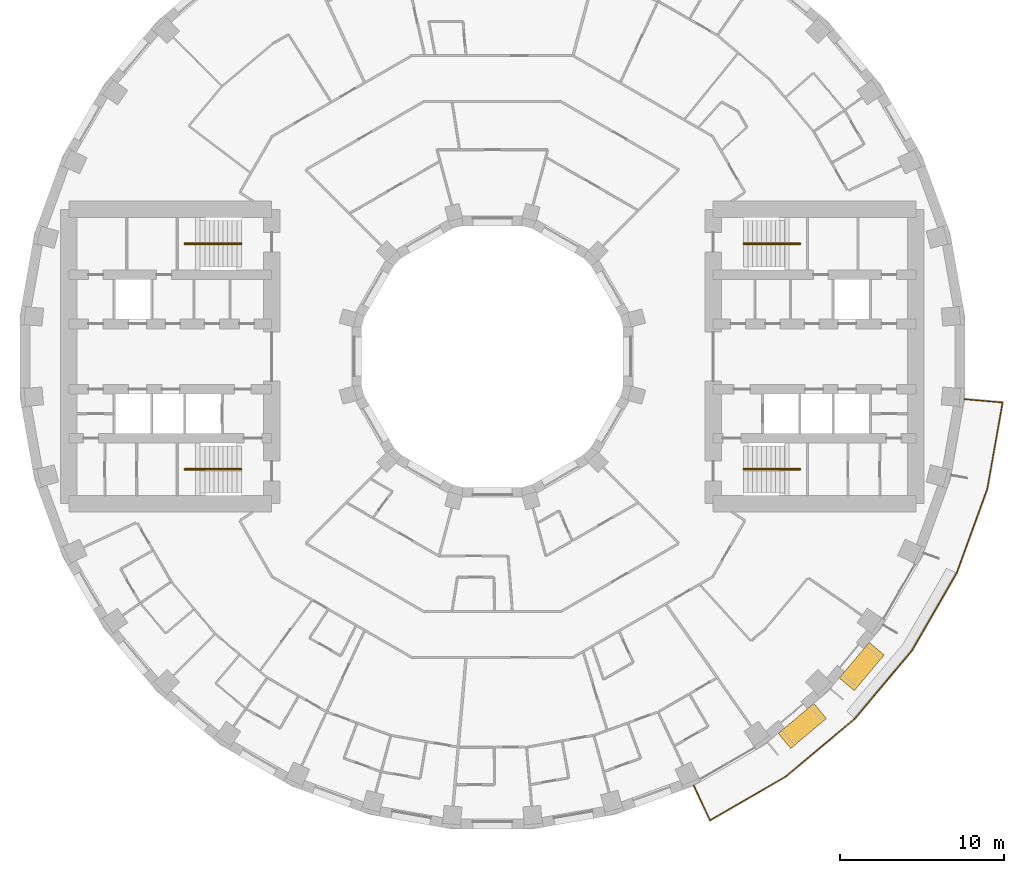
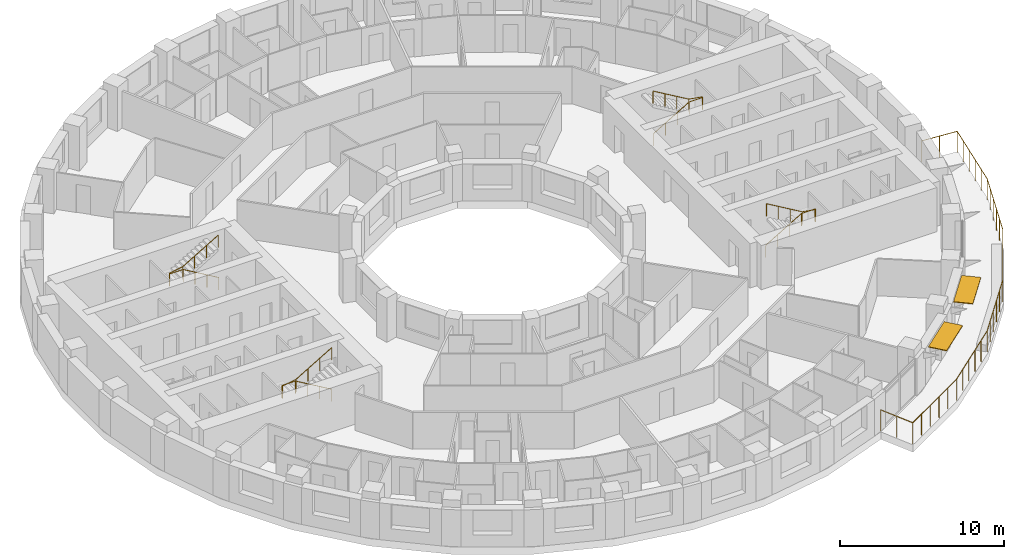
# One storey, part 15 of 15: 5 railings, 2 shading devices.
"""IFC4 building model written with IfcOpenShell, lengths in metres."""

import ifcopenshell
import ifcopenshell.guid

model = None  # the IFC model being written
_history = None  # IfcOwnerHistory: only IFC2X3 demands one
_inside = {}  # id of a spatial element -> (the spatial element, [elements in it])
_under = {}  # id of a project, library or spatial element -> (it, [spatial elements below it])
_declared = {}  # id of a project -> (the project, [libraries it declares])
_typed = {}  # id of a type object -> (the type object, [elements of that type])
_made_of = {}  # id of a material, layer set ... -> (it, [elements and type objects made of it])


def new_model(schema):
    """Start an empty IFC model of exactly this schema.

    Asked for "IFC4X3", IfcOpenShell would pick the latest addendum, in which some entities
    have other attributes; the version numbers below select the first issue.
    IFC2X3 requires an IfcOwnerHistory on every rooted entity: one is made here for all.
    """
    global model, _history
    if schema == "IFC4X3":
        model = ifcopenshell.file(schema_version=(4, 3, 0, 0))
    else:
        model = ifcopenshell.file(schema=schema)
    _inside.clear()
    _under.clear()
    _declared.clear()
    _typed.clear()
    _made_of.clear()
    _history = None
    if model.schema == "IFC2X3":
        org = make("IfcOrganization", Name="unknown")
        user = make(
            "IfcPersonAndOrganization",
            ThePerson=make("IfcPerson", FamilyName="unknown"),
            TheOrganization=org,
        )
        app = make(
            "IfcApplication",
            ApplicationDeveloper=org,
            Version="unknown",
            ApplicationFullName="unknown",
            ApplicationIdentifier="unknown",
        )
        _history = make(
            "IfcOwnerHistory",
            OwningUser=user,
            OwningApplication=app,
            ChangeAction="ADDED",
            CreationDate=0,
        )
    return model


def make(cls, **values):
    """One entity of the class cls with the attributes given. An attribute that is None is left unset."""
    return model.create_entity(
        cls, **{name: value for name, value in values.items() if value is not None}
    )


def rooted(cls, **values):
    """An entity with a GlobalId (a new one), such as an element, a storey or a relation."""
    return make(cls, GlobalId=ifcopenshell.guid.new(), OwnerHistory=_history, **values)


def si_unit(unit_type, name, prefix=None):
    """IfcSIUnit, for example si_unit("LENGTHUNIT", "METRE", prefix="MILLI")."""
    return make("IfcSIUnit", UnitType=unit_type, Prefix=prefix, Name=name)


def assignment(units):
    """IfcUnitAssignment: the units of a project."""
    return None if units is None else make("IfcUnitAssignment", Units=units)


def point(xyz):
    """IfcCartesianPoint."""
    return None if xyz is None else make("IfcCartesianPoint", Coordinates=xyz)


def direction(xyz):
    """IfcDirection."""
    return None if xyz is None else make("IfcDirection", DirectionRatios=xyz)


def frame(location, z_axis=None, x_axis=None):
    """IfcAxis2Placement3D, a coordinate frame: its origin and axes. An axis left out is left unset."""
    return make(
        "IfcAxis2Placement3D",
        Location=point(location),
        Axis=direction(z_axis),
        RefDirection=direction(x_axis),
    )


def frame_2d(location, x_axis=None):
    """IfcAxis2Placement2D, a coordinate frame in the plane: its origin and x axis."""
    return make(
        "IfcAxis2Placement2D", Location=point(location), RefDirection=direction(x_axis)
    )


def origin():
    """The frame at (0, 0, 0) with its axes left unset."""
    return frame((0.0, 0.0, 0.0))


def origin_2d():
    """The frame at (0, 0) in the plane with its x axis left unset."""
    return frame_2d((0.0, 0.0))


def place(relative_to, where):
    """IfcLocalPlacement: puts the frame where relative to a parent placement (None: the world)."""
    return make(
        "IfcLocalPlacement", PlacementRelTo=relative_to, RelativePlacement=where
    )


def context(
    kind, dimensions, precision=None, world=None, true_north=None, identifier=None
):
    """IfcGeometricRepresentationContext, for example the 3D "Model" context."""
    return make(
        "IfcGeometricRepresentationContext",
        ContextIdentifier=identifier,
        ContextType=kind,
        CoordinateSpaceDimension=dimensions,
        Precision=precision,
        WorldCoordinateSystem=world,
        TrueNorth=true_north,
    )


def subcontext(parent, identifier, kind, view, scale=None):
    """IfcGeometricRepresentationSubContext, for example "Body" below "Model"."""
    return make(
        "IfcGeometricRepresentationSubContext",
        ContextIdentifier=identifier,
        ContextType=kind,
        ParentContext=parent,
        TargetScale=scale,
        TargetView=view,
    )


def project(units=None, contexts=None):
    """IfcProject with its units and contexts."""
    return rooted(
        "IfcProject",
        Name="project",
        RepresentationContexts=contexts,
        UnitsInContext=assignment(units),
    )


def spatial(cls, under=None, at=None, **own):
    """A site, building, storey or space (cls), placed at a placement, below another one or the project."""
    s = rooted(cls, ObjectPlacement=at, **own)
    if under is not None:
        _under.setdefault(under.id(), (under, []))[1].append(s)
    return s


def profile(cls, at=None, kind="AREA", **sizes):
    """A parametric profile (cls). Its sizes go by their IFC names, for example OverallWidth=200.0."""
    return make(cls, ProfileType=kind, Position=at, **sizes)


def rectangle(**sizes):
    """IfcRectangleProfileDef."""
    return profile("IfcRectangleProfileDef", **sizes)


def circle(**sizes):
    """IfcCircleProfileDef."""
    return profile("IfcCircleProfileDef", **sizes)


def extrude(swept, where, along, depth):
    """IfcExtrudedAreaSolid: the profile swept, set in the frame where, extruded along a direction by depth."""
    return make(
        "IfcExtrudedAreaSolid",
        SweptArea=swept,
        Position=where,
        ExtrudedDirection=direction(along),
        Depth=depth,
    )


def shape(context_of_items, identifier, shape_type, items):
    """IfcShapeRepresentation: the items that make up one representation, for example the "Body"."""
    return make(
        "IfcShapeRepresentation",
        ContextOfItems=context_of_items,
        RepresentationIdentifier=identifier,
        RepresentationType=shape_type,
        Items=items,
    )


def material(Name=None, Category=None):
    """IfcMaterial."""
    return make("IfcMaterial", Name=Name, Category=Category)


def layer(
    of_material, thickness, ventilated=None, Name=None, Category=None, Priority=None
):
    """IfcMaterialLayer: one layer of a wall or slab, of a material (None: an air gap)."""
    return make(
        "IfcMaterialLayer",
        Material=of_material,
        LayerThickness=thickness,
        IsVentilated=ventilated,
        Name=Name,
        Category=Category,
        Priority=Priority,
    )


def layer_set(layers, Name=None):
    """IfcMaterialLayerSet."""
    return make("IfcMaterialLayerSet", MaterialLayers=layers, LayerSetName=Name)


def made_of(thing, what):
    """Note that an element or type object is made of a material, layer set ...; save() writes the relation."""
    if what is not None:
        _made_of.setdefault(what.id(), (what, []))[1].append(thing)
    return thing


def type_object(cls, material=None, **own):
    """A type object (cls), such as IfcWallType, which elements share."""
    return made_of(rooted(cls, **own), material)


def element(
    cls,
    number,
    at=None,
    inside=None,
    cuts=None,
    type_object=None,
    material=None,
    context=None,
    identifier="Body",
    shape_type=None,
    held_by="IfcProductDefinitionShape",
    body=None,
    shapes=None,
    **own,
):
    """One element of the class cls, such as IfcWall. Its Tag is "e" and its number.

    at: its placement. inside: the storey or other place that contains it. cuts: it is an
    opening in that element (IfcRelVoidsElement). A single representation is given by context,
    identifier, shape_type and body (its items); several are given by shapes. held_by: the class
    of the entity that holds the representations. save() writes the other relations.
    """
    e = rooted(cls, Tag="e%d" % number, ObjectPlacement=at, **own)
    if body is not None:
        shapes = [shape(context, identifier, shape_type, body)]
    if shapes is not None:
        e.Representation = make(held_by, Representations=shapes)
    if inside is not None:
        _inside.setdefault(inside.id(), (inside, []))[1].append(e)
    if cuts is not None:
        rooted(
            "IfcRelVoidsElement", RelatingBuildingElement=cuts, RelatedOpeningElement=e
        )
    if type_object is not None:
        _typed.setdefault(type_object.id(), (type_object, []))[1].append(e)
    return made_of(e, material)


def aggregate(whole, parts):
    """IfcRelAggregates: a whole, such as a stair, and the parts it consists of."""
    return rooted("IfcRelAggregates", RelatingObject=whole, RelatedObjects=parts)


def save(model, path):
    """Write the relations noted so far, then the file.

    IfcRelAggregates (storeys below a building ...), IfcRelContainedInSpatialStructure (elements
    in a storey), IfcRelDefinesByType, IfcRelAssociatesMaterial and IfcRelDeclares: one each for
    every whole, place, type object, material and project.
    """
    for whole, parts in _under.values():
        aggregate(whole, parts)
    for where, things in _inside.values():
        rooted(
            "IfcRelContainedInSpatialStructure",
            RelatedElements=things,
            RelatingStructure=where,
        )
    for kind, things in _typed.values():
        rooted("IfcRelDefinesByType", RelatedObjects=things, RelatingType=kind)
    for what, things in _made_of.values():
        rooted("IfcRelAssociatesMaterial", RelatedObjects=things, RelatingMaterial=what)
    for by, libraries in _declared.values():
        rooted("IfcRelDeclares", RelatingContext=by, RelatedDefinitions=libraries)
    model.write(path)


model = new_model("IFC4")

# Units and contexts
model_context = context("Model", 3, precision=1e-05, world=origin(), true_north=direction((0.0, 1.0)))
body_context = subcontext(model_context, "Body", "Model", "MODEL_VIEW")
ifc_project = project(units=[si_unit("LENGTHUNIT", "METRE"), si_unit("AREAUNIT", "SQUARE_METRE"), si_unit("VOLUMEUNIT", "CUBIC_METRE"), si_unit("PLANEANGLEUNIT", "RADIAN"), si_unit("MASSUNIT", "GRAM", prefix="KILO")], contexts=[model_context])

# Site, building, storey
site_placement = place(None, origin())
site = spatial("IfcSite", under=ifc_project, at=site_placement, CompositionType="ELEMENT")
building_placement = place(site_placement, origin())
building = spatial("IfcBuilding", under=site, at=building_placement, Name="Saqina Gate Tower", CompositionType="ELEMENT")
storey_placement = place(building_placement, frame((0.0, 0.0, 39.5)))
storey = spatial("IfcBuildingStorey", under=building, at=storey_placement, Name="L10", CompositionType="ELEMENT", Elevation=39.5)

# Shading devices
ifc_material_1 = material(Name="Aluminium and fabric awning", Category="aluminium")
ifc_layer = layer(ifc_material_1, 0.050048828125)
ifc_layer_set = layer_set([ifc_layer], Name="AW-TERRACE")
shading_device_type = type_object("IfcShadingDeviceType", Name="AW-TERRACE", PredefinedType="AWNING", material=ifc_layer_set)
for number, where, z_axis, x_axis, name in (
    (1, (18.95556640625, -22.59033203125, 2.52490234375), (0.0, 0.0, 1.0), (0.766044443119, 0.642787609687, 0.0), "Terrace awning L10 facet 31"),
    (2, (22.59033203125, -18.95556640625, 2.52490234375), (0.0, 0.0, 1.0), (0.642787609687, 0.766044443119, 0.0), "Terrace awning L10 facet 32"),
):
    element("IfcShadingDevice", number, at=place(storey_placement, frame(where, z_axis=z_axis, x_axis=x_axis)), inside=storey, type_object=shading_device_type, Name=name, PredefinedType="AWNING", context=body_context, shape_type="SweptSolid", body=[
        extrude(rectangle(XDim=2.845703125, YDim=1.199951171875, at=origin_2d()), origin(), (0.0, 0.0, 1.0), 0.050048828125),
    ])

# Railings
ifc_material_2 = material(Name="Stainless steel", Category="steel")
railing_type_1 = type_object("IfcRailingType", Name="RL-TERRACE", PredefinedType="GUARDRAIL", material=ifc_material_2)
railing_1_placement = place(storey_placement, frame((12.302978515625, -26.194580078125, 0.0)))
element("IfcRailing", 3, at=railing_1_placement, inside=storey, type_object=railing_type_1, Name="Terrace guard L10", PredefinedType="GUARDRAIL", context=body_context, shape_type="SweptSolid", body=[
    extrude(circle(Radius=0.02392578125, at=origin_2d()), frame((0.0, 0.0, 1.576171875), z_axis=(0.422644901044, -0.906295364449, 0.0), x_axis=(0.906295364449, 0.422644901044, 0.0)), (0.0, 0.0, 1.0), 2.38916015625),
    extrude(circle(Radius=0.02392578125, at=origin_2d()), frame((1.009765625, -2.165283203125, 1.576171875), z_axis=(0.8653641556, 0.50114357045, 0.0), x_axis=(-0.50114357045, 0.8653641556, 0.0)), (0.0, 0.0, 1.0), 5.38134765625),
    extrude(circle(Radius=0.02392578125, at=origin_2d()), frame((5.66650390625, 0.531494140625, 1.576171875), z_axis=(0.766043830705, 0.642788339532, 0.0), x_axis=(-0.642788339532, 0.766043830705, 0.0)), (0.0, 0.0, 1.0), 5.4609375),
    extrude(circle(Radius=0.02392578125, at=origin_2d()), frame((9.849853515625, 4.041748046875, 1.576171875), z_axis=(0.642788339532, 0.766043830705, 0.0), x_axis=(-0.766043830705, 0.642788339532, 0.0)), (0.0, 0.0, 1.0), 5.4609375),
    extrude(circle(Radius=0.02392578125, at=origin_2d()), frame((13.360107421875, 8.22509765625, 1.576171875), z_axis=(0.499985602051, 0.866033716285, 0.0), x_axis=(-0.866033716285, 0.499985602051, 0.0)), (0.0, 0.0, 1.0), 5.461181640625),
    extrude(circle(Radius=0.02392578125, at=origin_2d()), frame((16.090576171875, 12.95458984375, 1.576171875), z_axis=(0.342048157644, 0.939682423935, 0.0), x_axis=(-0.939682423935, 0.342048157644, 0.0)), (0.0, 0.0, 1.0), 5.4609375),
    extrude(circle(Radius=0.02392578125, at=origin_2d()), frame((17.95849609375, 18.086181640625, 1.576171875), z_axis=(0.174903346333, 0.98458560798, 0.0), x_axis=(-0.98458560798, 0.174903346333, 0.0)), (0.0, 0.0, 1.0), 5.381103515625),
    extrude(circle(Radius=0.02392578125, at=origin_2d()), frame((18.899658203125, 23.38427734375, 1.576171875), z_axis=(-0.996192497087, 0.087180896688, 0.0), x_axis=(-0.087180896688, -0.996192497087, 0.0)), (0.0, 0.0, 1.0), 2.388671875),
    extrude(circle(Radius=0.02099609375, at=origin_2d()), origin(), (0.0, 0.0, 1.0), 1.552001953125),
    extrude(circle(Radius=0.02099609375, at=origin_2d()), frame((0.5048828125, -1.08251953125, 0.0)), (0.0, 0.0, 1.0), 1.552001953125),
    extrude(circle(Radius=0.02099609375, at=origin_2d()), frame((1.009765625, -2.165283203125, 0.0)), (0.0, 0.0, 1.0), 1.552001953125),
    extrude(circle(Radius=0.02099609375, at=origin_2d()), frame((1.941162109375, -1.6259765625, 0.0)), (0.0, 0.0, 1.0), 1.552001953125),
    extrude(circle(Radius=0.02099609375, at=origin_2d()), frame((2.87255859375, -1.086669921875, 0.0)), (0.0, 0.0, 1.0), 1.552001953125),
    extrude(circle(Radius=0.02099609375, at=origin_2d()), frame((3.8037109375, -0.547119140625, 0.0)), (0.0, 0.0, 1.0), 1.552001953125),
    extrude(circle(Radius=0.02099609375, at=origin_2d()), frame((4.735107421875, -0.0078125, 0.0)), (0.0, 0.0, 1.0), 1.552001953125),
    extrude(circle(Radius=0.02099609375, at=origin_2d()), frame((5.66650390625, 0.531494140625, 0.0)), (0.0, 0.0, 1.0), 1.552001953125),
    extrude(circle(Radius=0.02099609375, at=origin_2d()), frame((6.503173828125, 1.233642578125, 0.0)), (0.0, 0.0, 1.0), 1.552001953125),
    extrude(circle(Radius=0.02099609375, at=origin_2d()), frame((7.33984375, 1.935546875, 0.0)), (0.0, 0.0, 1.0), 1.552001953125),
    extrude(circle(Radius=0.02099609375, at=origin_2d()), frame((8.176513671875, 2.6376953125, 0.0)), (0.0, 0.0, 1.0), 1.552001953125),
    extrude(circle(Radius=0.02099609375, at=origin_2d()), frame((9.01318359375, 3.339599609375, 0.0)), (0.0, 0.0, 1.0), 1.552001953125),
    extrude(circle(Radius=0.02099609375, at=origin_2d()), frame((9.849853515625, 4.041748046875, 0.0)), (0.0, 0.0, 1.0), 1.552001953125),
    extrude(circle(Radius=0.02099609375, at=origin_2d()), frame((10.552001953125, 4.87841796875, 0.0)), (0.0, 0.0, 1.0), 1.552001953125),
    extrude(circle(Radius=0.02099609375, at=origin_2d()), frame((11.25390625, 5.715087890625, 0.0)), (0.0, 0.0, 1.0), 1.552001953125),
    extrude(circle(Radius=0.02099609375, at=origin_2d()), frame((11.9560546875, 6.5517578125, 0.0)), (0.0, 0.0, 1.0), 1.552001953125),
    extrude(circle(Radius=0.02099609375, at=origin_2d()), frame((12.657958984375, 7.388427734375, 0.0)), (0.0, 0.0, 1.0), 1.552001953125),
    extrude(circle(Radius=0.02099609375, at=origin_2d()), frame((13.360107421875, 8.22509765625, 0.0)), (0.0, 0.0, 1.0), 1.552001953125),
    extrude(circle(Radius=0.02099609375, at=origin_2d()), frame((13.90625, 9.1708984375, 0.0)), (0.0, 0.0, 1.0), 1.552001953125),
    extrude(circle(Radius=0.02099609375, at=origin_2d()), frame((14.452392578125, 10.116943359375, 0.0)), (0.0, 0.0, 1.0), 1.552001953125),
    extrude(circle(Radius=0.02099609375, at=origin_2d()), frame((14.998291015625, 11.062744140625, 0.0)), (0.0, 0.0, 1.0), 1.552001953125),
    extrude(circle(Radius=0.02099609375, at=origin_2d()), frame((15.54443359375, 12.0087890625, 0.0)), (0.0, 0.0, 1.0), 1.552001953125),
    extrude(circle(Radius=0.02099609375, at=origin_2d()), frame((16.090576171875, 12.95458984375, 0.0)), (0.0, 0.0, 1.0), 1.552001953125),
    extrude(circle(Radius=0.02099609375, at=origin_2d()), frame((16.464111328125, 13.98095703125, 0.0)), (0.0, 0.0, 1.0), 1.552001953125),
    extrude(circle(Radius=0.02099609375, at=origin_2d()), frame((16.837646484375, 15.00732421875, 0.0)), (0.0, 0.0, 1.0), 1.552001953125),
    extrude(circle(Radius=0.02099609375, at=origin_2d()), frame((17.21142578125, 16.033447265625, 0.0)), (0.0, 0.0, 1.0), 1.552001953125),
    extrude(circle(Radius=0.02099609375, at=origin_2d()), frame((17.5849609375, 17.059814453125, 0.0)), (0.0, 0.0, 1.0), 1.552001953125),
    extrude(circle(Radius=0.02099609375, at=origin_2d()), frame((17.95849609375, 18.086181640625, 0.0)), (0.0, 0.0, 1.0), 1.552001953125),
    extrude(circle(Radius=0.02099609375, at=origin_2d()), frame((18.146728515625, 19.145751953125, 0.0)), (0.0, 0.0, 1.0), 1.552001953125),
    extrude(circle(Radius=0.02099609375, at=origin_2d()), frame((18.3349609375, 20.205322265625, 0.0)), (0.0, 0.0, 1.0), 1.552001953125),
    extrude(circle(Radius=0.02099609375, at=origin_2d()), frame((18.523193359375, 21.26513671875, 0.0)), (0.0, 0.0, 1.0), 1.552001953125),
    extrude(circle(Radius=0.02099609375, at=origin_2d()), frame((18.71142578125, 22.32470703125, 0.0)), (0.0, 0.0, 1.0), 1.552001953125),
    extrude(circle(Radius=0.02099609375, at=origin_2d()), frame((18.899658203125, 23.38427734375, 0.0)), (0.0, 0.0, 1.0), 1.552001953125),
    extrude(circle(Radius=0.02099609375, at=origin_2d()), frame((17.7099609375, 23.48828125, 0.0)), (0.0, 0.0, 1.0), 1.552001953125),
    extrude(circle(Radius=0.02099609375, at=origin_2d()), frame((16.52001953125, 23.592529296875, 0.0)), (0.0, 0.0, 1.0), 1.552001953125),
])
ifc_material_3 = material(Name="Stainless steel", Category="steel")
railing_type_2 = type_object("IfcRailingType", Name="STAIR HANDRAIL", PredefinedType="HANDRAIL", material=ifc_material_3)
railing_2_placement = place(storey_placement, frame((15.35009765625, 6.86669921875, 0.1650390625)))
element("IfcRailing", 4, at=railing_2_placement, inside=storey, type_object=railing_type_2, Name="EXIT STAIR 1 HANDRAIL", PredefinedType="HANDRAIL", context=body_context, shape_type="SweptSolid", body=[
    extrude(circle(Radius=0.02392578125, at=origin_2d()), frame((0.0, 0.0, 0.92578125), z_axis=(0.861560626758, 0.0, 0.507654692109), x_axis=(0.0, 1.0, 0.0)), (0.0, 0.0, 1.0), 2.925048828125),
    extrude(circle(Radius=0.02392578125, at=origin_2d()), frame((2.52001953125, 0.0, 2.41064453125), z_axis=(1.0, 0.0, 0.0), x_axis=(0.0, 1.0, 0.0)), (0.0, 0.0, 1.0), 0.949951171875),
    extrude(circle(Radius=0.02392578125, at=origin_2d()), frame((3.469970703125, 0.0, 2.41064453125), z_axis=(0.0, 1.0, 0.0), x_axis=(-1.0, 0.0, 0.0)), (0.0, 0.0, 1.0), 0.066650390625),
    extrude(circle(Radius=0.02392578125, at=origin_2d()), frame((3.469970703125, 0.066650390625, 2.41064453125), z_axis=(-0.985241474778, 0.0, 0.171170197109), x_axis=(0.0, -1.0, 0.0)), (0.0, 0.0, 1.0), 0.964111328125),
    extrude(circle(Radius=0.02392578125, at=origin_2d()), frame((2.52001953125, 0.066650390625, 2.57568359375), z_axis=(-0.86152411907, 0.0, 0.507716645641), x_axis=(0.0, -1.0, 0.0)), (0.0, 0.0, 1.0), 2.925048828125),
    extrude(circle(Radius=0.02099609375, at=origin_2d()), origin(), (0.0, 0.0, 1.0), 0.90185546875),
    extrude(circle(Radius=0.02099609375, at=origin_2d()), frame((0.840087890625, 0.0, 0.494873046875)), (0.0, 0.0, 1.0), 0.90185546875),
    extrude(circle(Radius=0.02099609375, at=origin_2d()), frame((1.679931640625, 0.0, 0.989990234375)), (0.0, 0.0, 1.0), 0.90185546875),
    extrude(circle(Radius=0.02099609375, at=origin_2d()), frame((2.52001953125, 0.0, 1.48486328125)), (0.0, 0.0, 1.0), 0.90185546875),
    extrude(circle(Radius=0.02099609375, at=origin_2d()), frame((3.469970703125, 0.0, 1.48486328125)), (0.0, 0.0, 1.0), 0.90185546875),
    extrude(circle(Radius=0.02099609375, at=origin_2d()), frame((3.469970703125, 0.066650390625, 1.48486328125)), (0.0, 0.0, 1.0), 0.90185546875),
    extrude(circle(Radius=0.02099609375, at=origin_2d()), frame((2.52001953125, 0.066650390625, 1.64990234375)), (0.0, 0.0, 1.0), 0.90185546875),
    extrude(circle(Radius=0.02099609375, at=origin_2d()), frame((1.679931640625, 0.066650390625, 2.14501953125)), (0.0, 0.0, 1.0), 0.90185546875),
    extrude(circle(Radius=0.02099609375, at=origin_2d()), frame((0.840087890625, 0.066650390625, 2.639892578125)), (0.0, 0.0, 1.0), 0.90185546875),
    extrude(circle(Radius=0.02099609375, at=origin_2d()), frame((0.0, 0.066650390625, 3.135009765625)), (0.0, 0.0, 1.0), 0.90185546875),
])
railing_3_placement = place(storey_placement, frame((15.35009765625, -6.86669921875, 0.1650390625)))
element("IfcRailing", 5, at=railing_3_placement, inside=storey, type_object=railing_type_2, Name="EXIT STAIR 2 HANDRAIL", PredefinedType="HANDRAIL", context=body_context, shape_type="SweptSolid", body=[
    extrude(circle(Radius=0.02392578125, at=origin_2d()), frame((0.0, 0.0, 0.92578125), z_axis=(0.861560626758, 0.0, 0.507654692109), x_axis=(0.0, 1.0, 0.0)), (0.0, 0.0, 1.0), 2.925048828125),
    extrude(circle(Radius=0.02392578125, at=origin_2d()), frame((2.52001953125, 0.0, 2.41064453125), z_axis=(1.0, 0.0, 0.0), x_axis=(0.0, 1.0, 0.0)), (0.0, 0.0, 1.0), 0.949951171875),
    extrude(circle(Radius=0.02392578125, at=origin_2d()), frame((3.469970703125, 0.0, 2.41064453125), z_axis=(0.0, -1.0, 0.0), x_axis=(1.0, 0.0, 0.0)), (0.0, 0.0, 1.0), 0.066650390625),
    extrude(circle(Radius=0.02392578125, at=origin_2d()), frame((3.469970703125, -0.066650390625, 2.41064453125), z_axis=(-0.985241474778, 0.0, 0.171170197109), x_axis=(0.0, -1.0, 0.0)), (0.0, 0.0, 1.0), 0.964111328125),
    extrude(circle(Radius=0.02392578125, at=origin_2d()), frame((2.52001953125, -0.066650390625, 2.57568359375), z_axis=(-0.86152411907, 0.0, 0.507716645641), x_axis=(0.0, -1.0, 0.0)), (0.0, 0.0, 1.0), 2.925048828125),
    extrude(circle(Radius=0.02099609375, at=origin_2d()), origin(), (0.0, 0.0, 1.0), 0.90185546875),
    extrude(circle(Radius=0.02099609375, at=origin_2d()), frame((0.840087890625, 0.0, 0.494873046875)), (0.0, 0.0, 1.0), 0.90185546875),
    extrude(circle(Radius=0.02099609375, at=origin_2d()), frame((1.679931640625, 0.0, 0.989990234375)), (0.0, 0.0, 1.0), 0.90185546875),
    extrude(circle(Radius=0.02099609375, at=origin_2d()), frame((2.52001953125, 0.0, 1.48486328125)), (0.0, 0.0, 1.0), 0.90185546875),
    extrude(circle(Radius=0.02099609375, at=origin_2d()), frame((3.469970703125, 0.0, 1.48486328125)), (0.0, 0.0, 1.0), 0.90185546875),
    extrude(circle(Radius=0.02099609375, at=origin_2d()), frame((3.469970703125, -0.066650390625, 1.48486328125)), (0.0, 0.0, 1.0), 0.90185546875),
    extrude(circle(Radius=0.02099609375, at=origin_2d()), frame((2.52001953125, -0.066650390625, 1.64990234375)), (0.0, 0.0, 1.0), 0.90185546875),
    extrude(circle(Radius=0.02099609375, at=origin_2d()), frame((1.679931640625, -0.066650390625, 2.14501953125)), (0.0, 0.0, 1.0), 0.90185546875),
    extrude(circle(Radius=0.02099609375, at=origin_2d()), frame((0.840087890625, -0.066650390625, 2.639892578125)), (0.0, 0.0, 1.0), 0.90185546875),
    extrude(circle(Radius=0.02099609375, at=origin_2d()), frame((0.0, -0.066650390625, 3.135009765625)), (0.0, 0.0, 1.0), 0.90185546875),
])
railing_4_placement = place(storey_placement, frame((-15.35009765625, 6.86669921875, 0.1650390625)))
element("IfcRailing", 6, at=railing_4_placement, inside=storey, type_object=railing_type_2, Name="EXIT STAIR 3 HANDRAIL", PredefinedType="HANDRAIL", context=body_context, shape_type="SweptSolid", body=[
    extrude(circle(Radius=0.02392578125, at=origin_2d()), frame((0.0, 0.0, 0.92578125), z_axis=(-0.861560626758, 0.0, 0.507654692109), x_axis=(0.0, -1.0, 0.0)), (0.0, 0.0, 1.0), 2.925048828125),
    extrude(circle(Radius=0.02392578125, at=origin_2d()), frame((-2.52001953125, 0.0, 2.41064453125), z_axis=(-1.0, 0.0, 0.0), x_axis=(0.0, -1.0, 0.0)), (0.0, 0.0, 1.0), 0.949951171875),
    extrude(circle(Radius=0.02392578125, at=origin_2d()), frame((-3.469970703125, 0.0, 2.41064453125), z_axis=(0.0, 1.0, 0.0), x_axis=(-1.0, 0.0, 0.0)), (0.0, 0.0, 1.0), 0.066650390625),
    extrude(circle(Radius=0.02392578125, at=origin_2d()), frame((-3.469970703125, 0.066650390625, 2.41064453125), z_axis=(0.985241474778, 0.0, 0.171170197109), x_axis=(0.0, 1.0, 0.0)), (0.0, 0.0, 1.0), 0.964111328125),
    extrude(circle(Radius=0.02392578125, at=origin_2d()), frame((-2.52001953125, 0.066650390625, 2.57568359375), z_axis=(0.86152411907, 0.0, 0.507716645641), x_axis=(0.0, 1.0, 0.0)), (0.0, 0.0, 1.0), 2.925048828125),
    extrude(circle(Radius=0.02099609375, at=origin_2d()), origin(), (0.0, 0.0, 1.0), 0.90185546875),
    extrude(circle(Radius=0.02099609375, at=origin_2d()), frame((-0.840087890625, 0.0, 0.494873046875)), (0.0, 0.0, 1.0), 0.90185546875),
    extrude(circle(Radius=0.02099609375, at=origin_2d()), frame((-1.679931640625, 0.0, 0.989990234375)), (0.0, 0.0, 1.0), 0.90185546875),
    extrude(circle(Radius=0.02099609375, at=origin_2d()), frame((-2.52001953125, 0.0, 1.48486328125)), (0.0, 0.0, 1.0), 0.90185546875),
    extrude(circle(Radius=0.02099609375, at=origin_2d()), frame((-3.469970703125, 0.0, 1.48486328125)), (0.0, 0.0, 1.0), 0.90185546875),
    extrude(circle(Radius=0.02099609375, at=origin_2d()), frame((-3.469970703125, 0.066650390625, 1.48486328125)), (0.0, 0.0, 1.0), 0.90185546875),
    extrude(circle(Radius=0.02099609375, at=origin_2d()), frame((-2.52001953125, 0.066650390625, 1.64990234375)), (0.0, 0.0, 1.0), 0.90185546875),
    extrude(circle(Radius=0.02099609375, at=origin_2d()), frame((-1.679931640625, 0.066650390625, 2.14501953125)), (0.0, 0.0, 1.0), 0.90185546875),
    extrude(circle(Radius=0.02099609375, at=origin_2d()), frame((-0.840087890625, 0.066650390625, 2.639892578125)), (0.0, 0.0, 1.0), 0.90185546875),
    extrude(circle(Radius=0.02099609375, at=origin_2d()), frame((0.0, 0.066650390625, 3.135009765625)), (0.0, 0.0, 1.0), 0.90185546875),
])
railing_5_placement = place(storey_placement, frame((-15.35009765625, -6.86669921875, 0.1650390625)))
element("IfcRailing", 7, at=railing_5_placement, inside=storey, type_object=railing_type_2, Name="EXIT STAIR 4 HANDRAIL", PredefinedType="HANDRAIL", context=body_context, shape_type="SweptSolid", body=[
    extrude(circle(Radius=0.02392578125, at=origin_2d()), frame((0.0, 0.0, 0.92578125), z_axis=(-0.861560626758, 0.0, 0.507654692109), x_axis=(0.0, -1.0, 0.0)), (0.0, 0.0, 1.0), 2.925048828125),
    extrude(circle(Radius=0.02392578125, at=origin_2d()), frame((-2.52001953125, 0.0, 2.41064453125), z_axis=(-1.0, 0.0, 0.0), x_axis=(0.0, -1.0, 0.0)), (0.0, 0.0, 1.0), 0.949951171875),
    extrude(circle(Radius=0.02392578125, at=origin_2d()), frame((-3.469970703125, 0.0, 2.41064453125), z_axis=(0.0, -1.0, 0.0), x_axis=(1.0, 0.0, 0.0)), (0.0, 0.0, 1.0), 0.066650390625),
    extrude(circle(Radius=0.02392578125, at=origin_2d()), frame((-3.469970703125, -0.066650390625, 2.41064453125), z_axis=(0.985241474778, 0.0, 0.171170197109), x_axis=(0.0, 1.0, 0.0)), (0.0, 0.0, 1.0), 0.964111328125),
    extrude(circle(Radius=0.02392578125, at=origin_2d()), frame((-2.52001953125, -0.066650390625, 2.57568359375), z_axis=(0.86152411907, 0.0, 0.507716645641), x_axis=(0.0, 1.0, 0.0)), (0.0, 0.0, 1.0), 2.925048828125),
    extrude(circle(Radius=0.02099609375, at=origin_2d()), origin(), (0.0, 0.0, 1.0), 0.90185546875),
    extrude(circle(Radius=0.02099609375, at=origin_2d()), frame((-0.840087890625, 0.0, 0.494873046875)), (0.0, 0.0, 1.0), 0.90185546875),
    extrude(circle(Radius=0.02099609375, at=origin_2d()), frame((-1.679931640625, 0.0, 0.989990234375)), (0.0, 0.0, 1.0), 0.90185546875),
    extrude(circle(Radius=0.02099609375, at=origin_2d()), frame((-2.52001953125, 0.0, 1.48486328125)), (0.0, 0.0, 1.0), 0.90185546875),
    extrude(circle(Radius=0.02099609375, at=origin_2d()), frame((-3.469970703125, 0.0, 1.48486328125)), (0.0, 0.0, 1.0), 0.90185546875),
    extrude(circle(Radius=0.02099609375, at=origin_2d()), frame((-3.469970703125, -0.066650390625, 1.48486328125)), (0.0, 0.0, 1.0), 0.90185546875),
    extrude(circle(Radius=0.02099609375, at=origin_2d()), frame((-2.52001953125, -0.066650390625, 1.64990234375)), (0.0, 0.0, 1.0), 0.90185546875),
    extrude(circle(Radius=0.02099609375, at=origin_2d()), frame((-1.679931640625, -0.066650390625, 2.14501953125)), (0.0, 0.0, 1.0), 0.90185546875),
    extrude(circle(Radius=0.02099609375, at=origin_2d()), frame((-0.840087890625, -0.066650390625, 2.639892578125)), (0.0, 0.0, 1.0), 0.90185546875),
    extrude(circle(Radius=0.02099609375, at=origin_2d()), frame((0.0, -0.066650390625, 3.135009765625)), (0.0, 0.0, 1.0), 0.90185546875),
])

save(model, "model.ifc")
